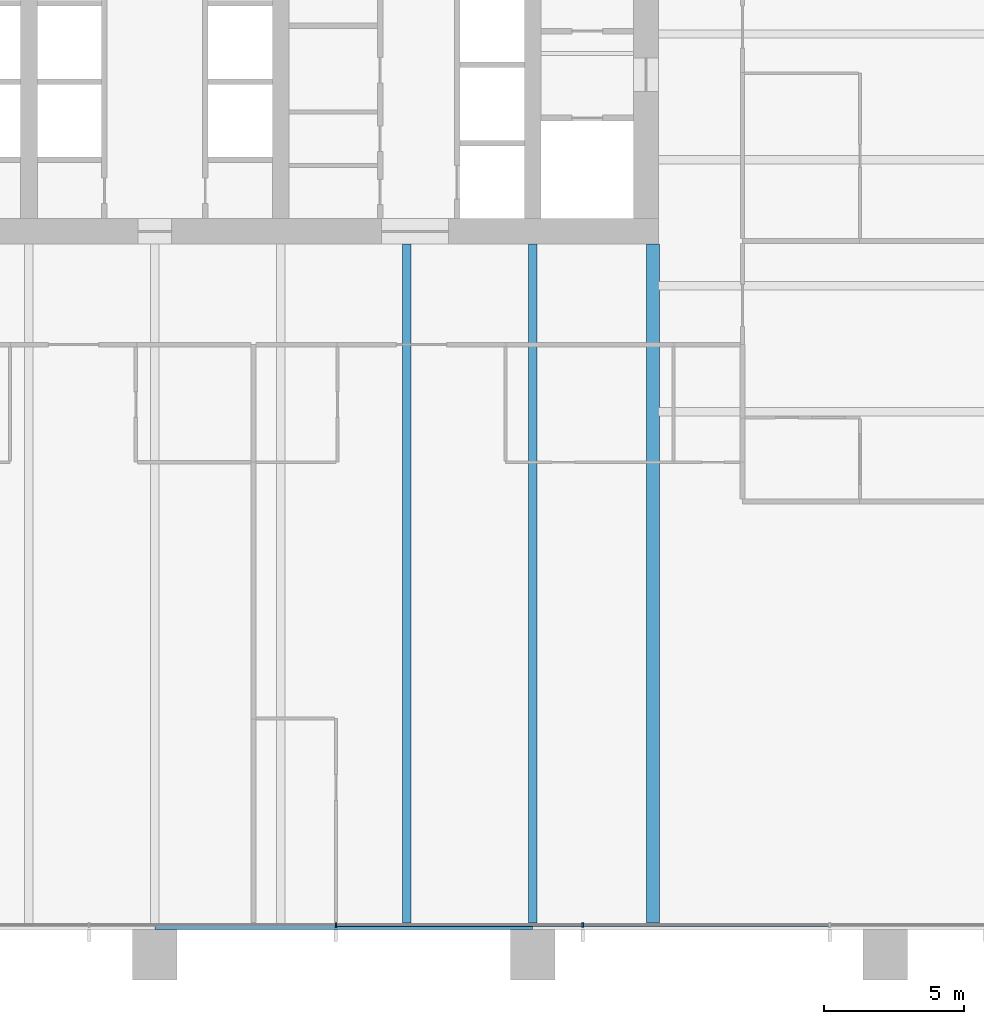
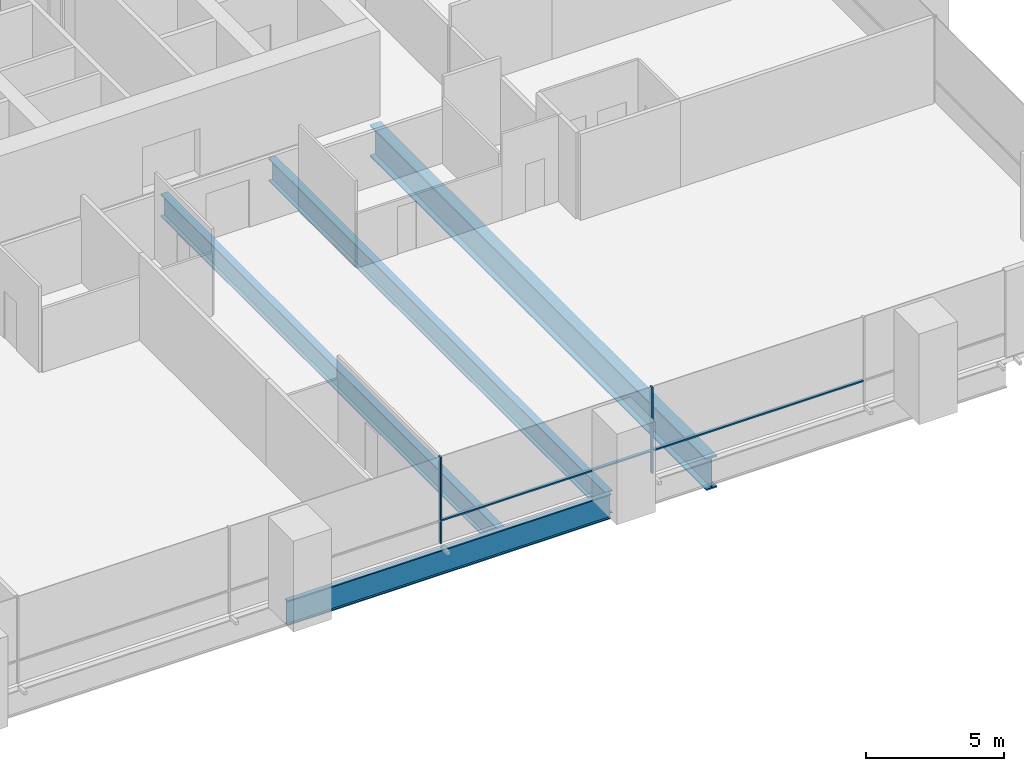
# One storey, part 5 of 17: 4 beams, 4 members, 1 element without a shape of its own.
"""IFC4 building model written with IfcOpenShell, lengths in metres."""

from ifc_helpers import new_model, si_unit, direction, frame, origin, origin_2d, place, context, subcontext, project, spatial, rectangle, i_section, extrude, material, material_profile, profile_set, type_object, element, aggregate, save


model = new_model("IFC4")

# Units and contexts
model_context = context("Model", 3, precision=1e-05, world=origin(), true_north=direction((0.0, 1.0)))
body_context = subcontext(model_context, "Body", "Model", "MODEL_VIEW")
ifc_project = project(units=[si_unit("LENGTHUNIT", "METRE"), si_unit("AREAUNIT", "SQUARE_METRE"), si_unit("VOLUMEUNIT", "CUBIC_METRE"), si_unit("PLANEANGLEUNIT", "RADIAN"), si_unit("MASSUNIT", "GRAM", prefix="KILO")], contexts=[model_context])

# Site, building, storey
site_placement = place(None, origin())
site = spatial("IfcSite", under=ifc_project, at=site_placement, CompositionType="ELEMENT")
building_placement = place(site_placement, origin())
building = spatial("IfcBuilding", under=site, at=building_placement, Name="Rattan Terrace Tower", CompositionType="ELEMENT")
storey_placement = place(building_placement, frame((0.0, 0.0, 83.699951171875)))
storey = spatial("IfcBuildingStorey", under=building, at=storey_placement, Name="L18", CompositionType="ELEMENT", Elevation=83.699951171875)

# Curtain wall, members
ifc_material_1 = material(Name="Aluminium and glass", Category="aluminium")
curtain_wall_type = type_object("IfcCurtainWallType", Name="Facade Unitised Curtain Wall", PredefinedType="NOTDEFINED", material=ifc_material_1)
curtain_wall_placement = place(storey_placement, origin())
curtain_wall = element("IfcCurtainWall", 1, at=curtain_wall_placement, inside=storey, type_object=curtain_wall_type, Name="Curtain wall L18-4", PredefinedType="NOTDEFINED")
ifc_material_2 = material(Name="Aluminium", Category="aluminium")
ifc_material_profile_1 = material_profile(ifc_material_2, rectangle(XDim=0.06005859375, YDim=0.159912109375, at=origin_2d()), Name="Aluminium 60x160")
ifc_profile_set_1 = profile_set([ifc_material_profile_1], Name="Aluminium")
member_type_1 = type_object("IfcMemberType", Name="Facade CW Mullion 60x160", PredefinedType="MULLION", material=ifc_profile_set_1)
member_1_placement = place(storey_placement, frame((6.468994140625, -31.830078125, 0.0), z_axis=(0.0, 0.0, 1.0), x_axis=(1.0, 0.0, 0.0)))
member_1 = element("IfcMember", 2, at=member_1_placement, type_object=member_type_1, Name="Mullion cwl-L18-004.4", PredefinedType="MULLION", context=body_context, shape_type="SweptSolid", body=[
    extrude(rectangle(XDim=0.06005859375, YDim=0.159912109375, at=origin_2d()), origin(), (0.0, 0.0, 1.0), 3.800048828125),
])
member_2_placement = place(storey_placement, frame((15.2919921875, -31.830078125, 0.0), z_axis=(0.0, 0.0, 1.0), x_axis=(1.0, 0.0, 0.0)))
member_2 = element("IfcMember", 3, at=member_2_placement, type_object=member_type_1, Name="Mullion cwl-L18-004.5", PredefinedType="MULLION", context=body_context, shape_type="SweptSolid", body=[
    extrude(rectangle(XDim=0.06005859375, YDim=0.159912109375, at=origin_2d()), origin(), (0.0, 0.0, 1.0), 3.800048828125),
])
ifc_material_3 = material(Name="Aluminium", Category="aluminium")
ifc_material_profile_2 = material_profile(ifc_material_3, rectangle(XDim=0.1201171875, YDim=0.06005859375, at=origin_2d()), Name="Aluminium 120x60")
ifc_profile_set_2 = profile_set([ifc_material_profile_2], Name="Aluminium")
member_type_2 = type_object("IfcMemberType", Name="Facade CW Transom 120x60", PredefinedType="USERDEFINED", material=ifc_profile_set_2)
member_3_placement = place(storey_placement, frame((6.4990234375, -31.830078125, 1.0), z_axis=(1.0, 0.0, 0.0), x_axis=(0.0, 1.0, 0.0)))
member_3 = element("IfcMember", 4, at=member_3_placement, type_object=member_type_2, Name="Transom cwl-L18-004.4", ObjectType="TRANSOM", PredefinedType="USERDEFINED", context=body_context, shape_type="SweptSolid", body=[
    extrude(rectangle(XDim=0.1201171875, YDim=0.06005859375, at=origin_2d()), origin(), (0.0, 0.0, 1.0), 8.762939453125),
])
member_4_placement = place(storey_placement, frame((15.322021484375, -31.830078125, 1.0), z_axis=(1.0, 0.0, 0.0), x_axis=(0.0, 1.0, 0.0)))
member_4 = element("IfcMember", 5, at=member_4_placement, type_object=member_type_2, Name="Transom cwl-L18-004.5", ObjectType="TRANSOM", PredefinedType="USERDEFINED", context=body_context, shape_type="SweptSolid", body=[
    extrude(rectangle(XDim=0.1201171875, YDim=0.06005859375, at=origin_2d()), origin(), (0.0, 0.0, 1.0), 8.762939453125),
])
aggregate(curtain_wall, [member_1, member_2, member_3, member_4])

# Beams
ifc_material_4 = material(Name="Steel S460", Category="steel")
ifc_material_profile_3 = material_profile(ifc_material_4, i_section(OverallWidth=0.449951171875, OverallDepth=1.39990234375, WebThickness=0.02197265625, FlangeThickness=0.054931640625, at=origin_2d()), Name="PG 1400x450-22-55")
ifc_profile_set_3 = profile_set([ifc_material_profile_3], Name="Steel S460")
beam_type_1 = type_object("IfcBeamType", Name="Frame core girder PG 1400x450-22-55", PredefinedType="BEAM", material=ifc_profile_set_3)
beam_1_placement = place(storey_placement, frame((17.800048828125, -31.820068359375, -0.89990234375), z_axis=(0.0, 1.0, 0.0), x_axis=(-1.0, 0.0, 0.0)))
element("IfcBeam", 6, at=beam_1_placement, inside=storey, type_object=beam_type_1, Name="gdr-L18-009", PredefinedType="BEAM", context=body_context, shape_type="SweptSolid", body=[
    extrude(i_section(OverallWidth=0.449951171875, OverallDepth=1.39990234375, WebThickness=0.02197265625, FlangeThickness=0.054931640625, at=origin_2d()), origin(), (0.0, 0.0, 1.0), 24.320068359375),
])
ifc_material_5 = material(Name="Steel S460", Category="steel")
ifc_material_profile_4 = material_profile(ifc_material_5, i_section(OverallWidth=0.179931640625, OverallDepth=1.10009765625, WebThickness=0.01611328125, FlangeThickness=0.050048828125, at=origin_2d()), Name="PG 1100x180-16-50")
ifc_profile_set_4 = profile_set([ifc_material_profile_4], Name="Steel S460")
beam_type_2 = type_object("IfcBeamType", Name="Frame edge girder PG 1100x180-16-50", PredefinedType="SPANDREL", material=ifc_profile_set_4)
beam_2_placement = place(storey_placement, frame((0.0, -31.909912109375, -0.75), z_axis=(1.0, 0.0, 0.0), x_axis=(0.0, 1.0, 0.0)))
element("IfcBeam", 7, at=beam_2_placement, inside=storey, type_object=beam_type_2, Name="gdr-L18-002", PredefinedType="SPANDREL", context=body_context, shape_type="SweptSolid", body=[
    extrude(i_section(OverallWidth=0.179931640625, OverallDepth=1.10009765625, WebThickness=0.01611328125, FlangeThickness=0.050048828125, at=origin_2d()), origin(), (0.0, 0.0, 1.0), 13.5),
])
ifc_material_6 = material(Name="Steel S460", Category="steel")
ifc_material_profile_5 = material_profile(ifc_material_6, i_section(OverallWidth=0.300048828125, OverallDepth=1.0, WebThickness=0.013916015625, FlangeThickness=0.0400390625, at=origin_2d()), Name="PG 1000x300-14-40")
ifc_profile_set_5 = profile_set([ifc_material_profile_5], Name="Steel S460")
beam_type_3 = type_object("IfcBeamType", Name="Frame floor beam PG 1000x300-14-40", PredefinedType="JOIST", material=ifc_profile_set_5)
for number, where, z_axis, x_axis, name in (
    (8, (9.0, -31.820068359375, -0.699951171875), (0.0, 1.0, 0.0), (-1.0, 0.0, 0.0), "bm-L18-008"),
    (9, (13.5, -31.820068359375, -0.699951171875), (0.0, 1.0, 0.0), (-1.0, 0.0, 0.0), "bm-L18-009"),
):
    element("IfcBeam", number, at=place(storey_placement, frame(where, z_axis=z_axis, x_axis=x_axis)), inside=storey, type_object=beam_type_3, Name=name, PredefinedType="JOIST", context=body_context, shape_type="SweptSolid", body=[
        extrude(i_section(OverallWidth=0.300048828125, OverallDepth=1.0, WebThickness=0.013916015625, FlangeThickness=0.0400390625, at=origin_2d()), origin(), (0.0, 0.0, 1.0), 24.320068359375),
    ])

save(model, "model.ifc")
